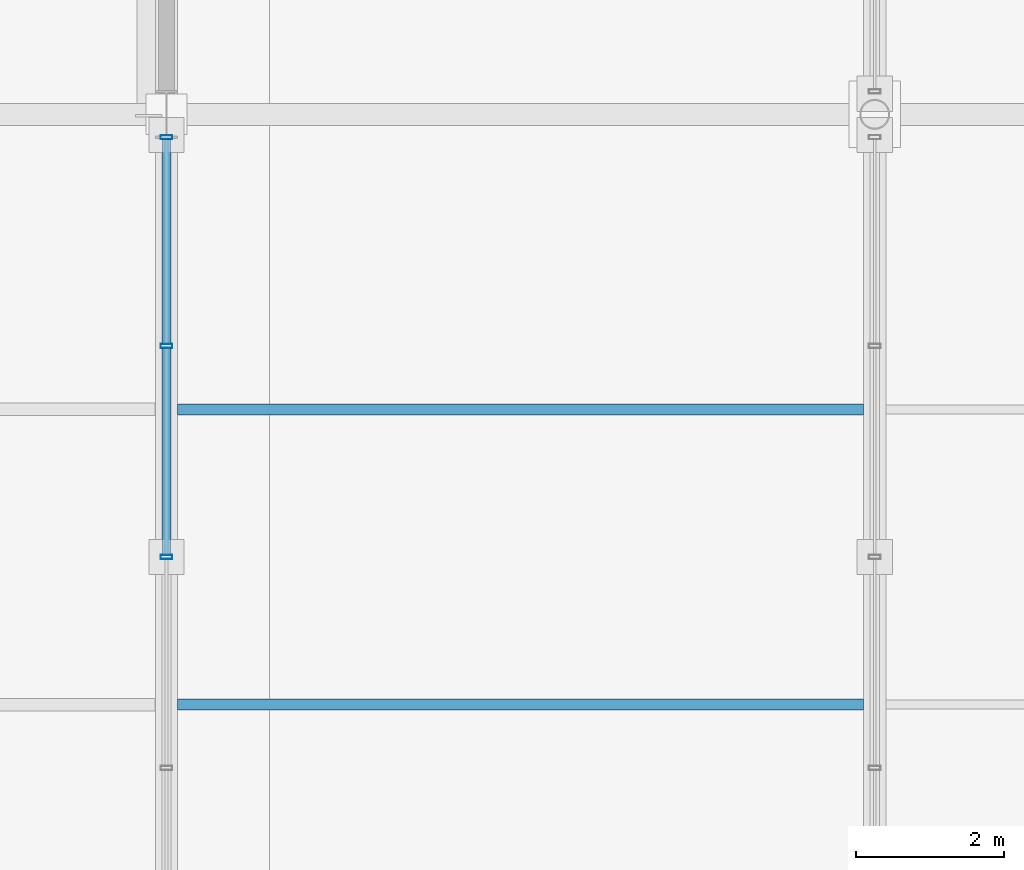
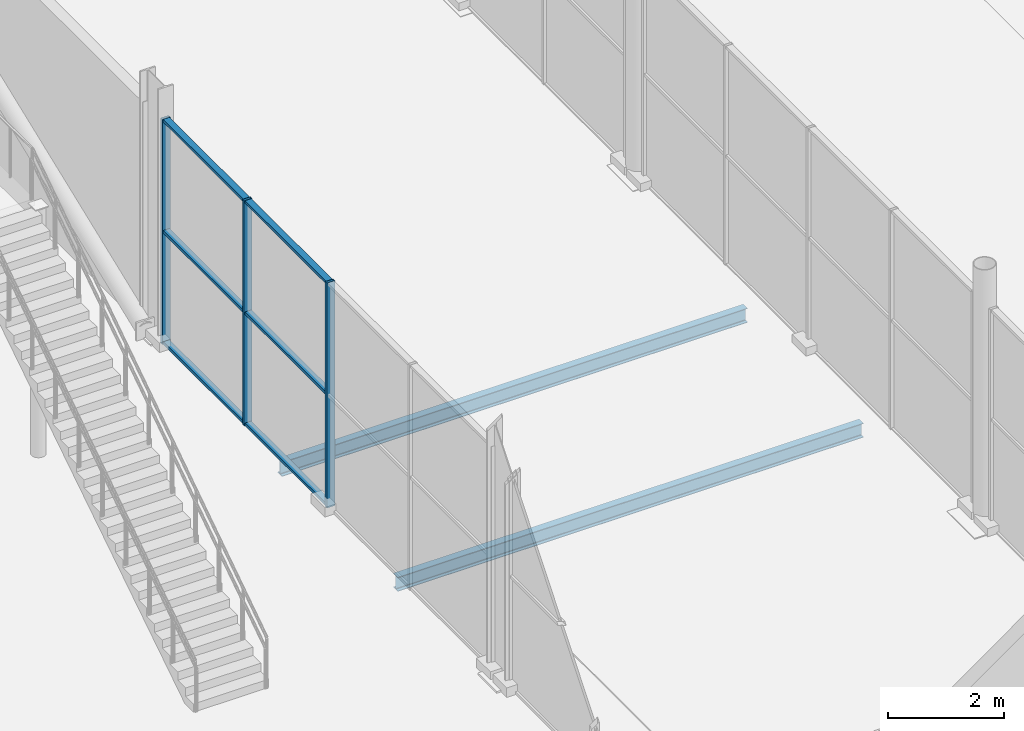
# One storey, part 54 of 196: 9 members, 2 beams, 1 element without a shape of its own.
"""IFC4 building model written with IfcOpenShell, lengths in metres."""

from ifc_helpers import new_model, si_unit, direction, frame, origin, origin_2d, place, context, subcontext, project, spatial, hollow_rectangle, i_section, extrude, material, material_profile, profile_set, type_object, element, aggregate, save


model = new_model("IFC4")

# Units and contexts
model_context = context("Model", 3, precision=1e-05, world=origin(), true_north=direction((0.0, 1.0)))
body_context = subcontext(model_context, "Body", "Model", "MODEL_VIEW")
ifc_project = project(units=[si_unit("LENGTHUNIT", "METRE"), si_unit("AREAUNIT", "SQUARE_METRE"), si_unit("VOLUMEUNIT", "CUBIC_METRE"), si_unit("PLANEANGLEUNIT", "RADIAN"), si_unit("MASSUNIT", "GRAM", prefix="KILO")], contexts=[model_context])

# Site, building, storey
site_placement = place(None, origin())
site = spatial("IfcSite", under=ifc_project, at=site_placement, CompositionType="ELEMENT")
building_placement = place(site_placement, origin())
building = spatial("IfcBuilding", under=site, at=building_placement, Name="Merenkruunu Market Hall", CompositionType="ELEMENT")
storey_placement = place(building_placement, origin())
storey = spatial("IfcBuildingStorey", under=building, at=storey_placement, Name="L00", CompositionType="ELEMENT", Elevation=0.0)

# Curtain wall, members
ifc_material_1 = material(Name="Powder-coated aluminium", Category="aluminium")
curtain_wall_type = type_object("IfcCurtainWallType", Name="Glazed Curtain Wall CW02", PredefinedType="USERDEFINED", material=ifc_material_1)
curtain_wall_placement = place(storey_placement, origin())
curtain_wall = element("IfcCurtainWall", 1, at=curtain_wall_placement, inside=storey, type_object=curtain_wall_type, Name="CW-L00-CWM01-124", ObjectType="GLAZED_FACADE", PredefinedType="USERDEFINED")
ifc_material_profile_1 = material_profile(ifc_material_1, hollow_rectangle(XDim=0.06005859375, YDim=0.159912109375, WallThickness=0.00390625, at=origin_2d()), Name="ALU 60x160x4")
ifc_profile_set_1 = profile_set([ifc_material_profile_1], Name="Powder-coated aluminium")
member_type_1 = type_object("IfcMemberType", Name="Curtain Wall Mullion CWM01", PredefinedType="MULLION", material=ifc_profile_set_1)
member_1_placement = place(storey_placement, frame((57.60009765625, 33.60009765625, 0.0), z_axis=(0.0, 0.0, 1.0), x_axis=(0.0, 1.0, 0.0)))
member_1 = element("IfcMember", 2, at=member_1_placement, type_object=member_type_1, Name="CW02 mullion 3", PredefinedType="MULLION", context=body_context, shape_type="SweptSolid", body=[
    extrude(hollow_rectangle(XDim=0.06005859375, YDim=0.159912109375, WallThickness=0.00390625, at=origin_2d()), origin(), (0.0, 0.0, 1.0), 4.75),
])
member_2_placement = place(storey_placement, frame((57.60009765625, 36.4599609375, 0.0), z_axis=(0.0, 0.0, 1.0), x_axis=(0.0, 1.0, 0.0)))
member_2 = element("IfcMember", 3, at=member_2_placement, type_object=member_type_1, Name="CW02 mullion 4", PredefinedType="MULLION", context=body_context, shape_type="SweptSolid", body=[
    extrude(hollow_rectangle(XDim=0.06005859375, YDim=0.159912109375, WallThickness=0.00390625, at=origin_2d()), origin(), (0.0, 0.0, 1.0), 4.75),
])
member_3_placement = place(storey_placement, frame((57.60009765625, 39.2900390625, 0.0), z_axis=(0.0, 0.0, 1.0), x_axis=(0.0, 1.0, 0.0)))
member_3 = element("IfcMember", 4, at=member_3_placement, type_object=member_type_1, Name="CW02 mullion 5", PredefinedType="MULLION", context=body_context, shape_type="SweptSolid", body=[
    extrude(hollow_rectangle(XDim=0.06005859375, YDim=0.159912109375, WallThickness=0.00390625, at=origin_2d()), origin(), (0.0, 0.0, 1.0), 4.75),
])
ifc_material_profile_2 = material_profile(ifc_material_1, hollow_rectangle(XDim=0.06005859375, YDim=0.125, WallThickness=0.00390625, at=origin_2d()), Name="ALU 60x125x4")
ifc_profile_set_2 = profile_set([ifc_material_profile_2], Name="Powder-coated aluminium")
member_type_2 = type_object("IfcMemberType", Name="Curtain Wall Transom CWT01", PredefinedType="USERDEFINED", material=ifc_profile_set_2)
member_4_placement = place(storey_placement, frame((57.60009765625, 33.6298828125, 0.030029296875), z_axis=(0.0, 1.0, 0.0), x_axis=(0.0, 0.0, 1.0)))
member_4 = element("IfcMember", 5, at=member_4_placement, type_object=member_type_2, Name="CW02 transom 3.1", ObjectType="TRANSOM", PredefinedType="USERDEFINED", context=body_context, shape_type="SweptSolid", body=[
    extrude(hollow_rectangle(XDim=0.06005859375, YDim=0.125, WallThickness=0.00390625, at=origin_2d()), origin(), (0.0, 0.0, 1.0), 2.800048828125),
])
member_5_placement = place(storey_placement, frame((57.60009765625, 33.6298828125, 2.375), z_axis=(0.0, 1.0, 0.0), x_axis=(0.0, 0.0, 1.0)))
member_5 = element("IfcMember", 6, at=member_5_placement, type_object=member_type_2, Name="CW02 transom 3.2", ObjectType="TRANSOM", PredefinedType="USERDEFINED", context=body_context, shape_type="SweptSolid", body=[
    extrude(hollow_rectangle(XDim=0.06005859375, YDim=0.125, WallThickness=0.00390625, at=origin_2d()), origin(), (0.0, 0.0, 1.0), 2.800048828125),
])
member_6_placement = place(storey_placement, frame((57.60009765625, 33.6298828125, 4.719970703125), z_axis=(0.0, 1.0, 0.0), x_axis=(0.0, 0.0, 1.0)))
member_6 = element("IfcMember", 7, at=member_6_placement, type_object=member_type_2, Name="CW02 transom 3.3", ObjectType="TRANSOM", PredefinedType="USERDEFINED", context=body_context, shape_type="SweptSolid", body=[
    extrude(hollow_rectangle(XDim=0.06005859375, YDim=0.125, WallThickness=0.00390625, at=origin_2d()), origin(), (0.0, 0.0, 1.0), 2.800048828125),
])
member_7_placement = place(storey_placement, frame((57.60009765625, 36.489990234375, 0.030029296875), z_axis=(0.0, 1.0, 0.0), x_axis=(0.0, 0.0, 1.0)))
member_7 = element("IfcMember", 8, at=member_7_placement, type_object=member_type_2, Name="CW02 transom 4.1", ObjectType="TRANSOM", PredefinedType="USERDEFINED", context=body_context, shape_type="SweptSolid", body=[
    extrude(hollow_rectangle(XDim=0.06005859375, YDim=0.125, WallThickness=0.00390625, at=origin_2d()), origin(), (0.0, 0.0, 1.0), 2.77001953125),
])
member_8_placement = place(storey_placement, frame((57.60009765625, 36.489990234375, 2.375), z_axis=(0.0, 1.0, 0.0), x_axis=(0.0, 0.0, 1.0)))
member_8 = element("IfcMember", 9, at=member_8_placement, type_object=member_type_2, Name="CW02 transom 4.2", ObjectType="TRANSOM", PredefinedType="USERDEFINED", context=body_context, shape_type="SweptSolid", body=[
    extrude(hollow_rectangle(XDim=0.06005859375, YDim=0.125, WallThickness=0.00390625, at=origin_2d()), origin(), (0.0, 0.0, 1.0), 2.77001953125),
])
member_9_placement = place(storey_placement, frame((57.60009765625, 36.489990234375, 4.719970703125), z_axis=(0.0, 1.0, 0.0), x_axis=(0.0, 0.0, 1.0)))
member_9 = element("IfcMember", 10, at=member_9_placement, type_object=member_type_2, Name="CW02 transom 4.3", ObjectType="TRANSOM", PredefinedType="USERDEFINED", context=body_context, shape_type="SweptSolid", body=[
    extrude(hollow_rectangle(XDim=0.06005859375, YDim=0.125, WallThickness=0.00390625, at=origin_2d()), origin(), (0.0, 0.0, 1.0), 2.77001953125),
])
aggregate(curtain_wall, [member_1, member_2, member_3, member_4, member_5, member_6, member_7, member_8, member_9])

# Beams
ifc_material_2 = material(Name="Steel S355J2", Category="steel")
ifc_material_profile_3 = material_profile(ifc_material_2, i_section(OverallWidth=0.14990234375, OverallDepth=0.300048828125, WebThickness=0.007080078125, FlangeThickness=0.0107421875, FilletRadius=0.014892578125, at=origin_2d()), Name="IPE 300")
ifc_profile_set_3 = profile_set([ifc_material_profile_3], Name="Steel S355J2")
beam_type = type_object("IfcBeamType", Name="Secondary Floor Joist J04", PredefinedType="JOIST", material=ifc_profile_set_3)
for number, where, z_axis, x_axis, name in (
    (11, (57.7529296875, 31.60009765625, -0.449951171875), (1.0, 0.0, 0.0), (0.0, 1.0, 0.0), "BM-L00-J04-0348"),
    (12, (57.7529296875, 35.60009765625, -0.449951171875), (1.0, 0.0, 0.0), (0.0, 1.0, 0.0), "BM-L00-J04-0349"),
):
    element("IfcBeam", number, at=place(storey_placement, frame(where, z_axis=z_axis, x_axis=x_axis)), inside=storey, type_object=beam_type, Name=name, PredefinedType="JOIST", context=body_context, shape_type="SweptSolid", body=[
        extrude(i_section(OverallWidth=0.14990234375, OverallDepth=0.300048828125, WebThickness=0.007080078125, FlangeThickness=0.0107421875, FilletRadius=0.014892578125, at=origin_2d()), origin(), (0.0, 0.0, 1.0), 9.294189453125),
    ])

save(model, "model.ifc")
